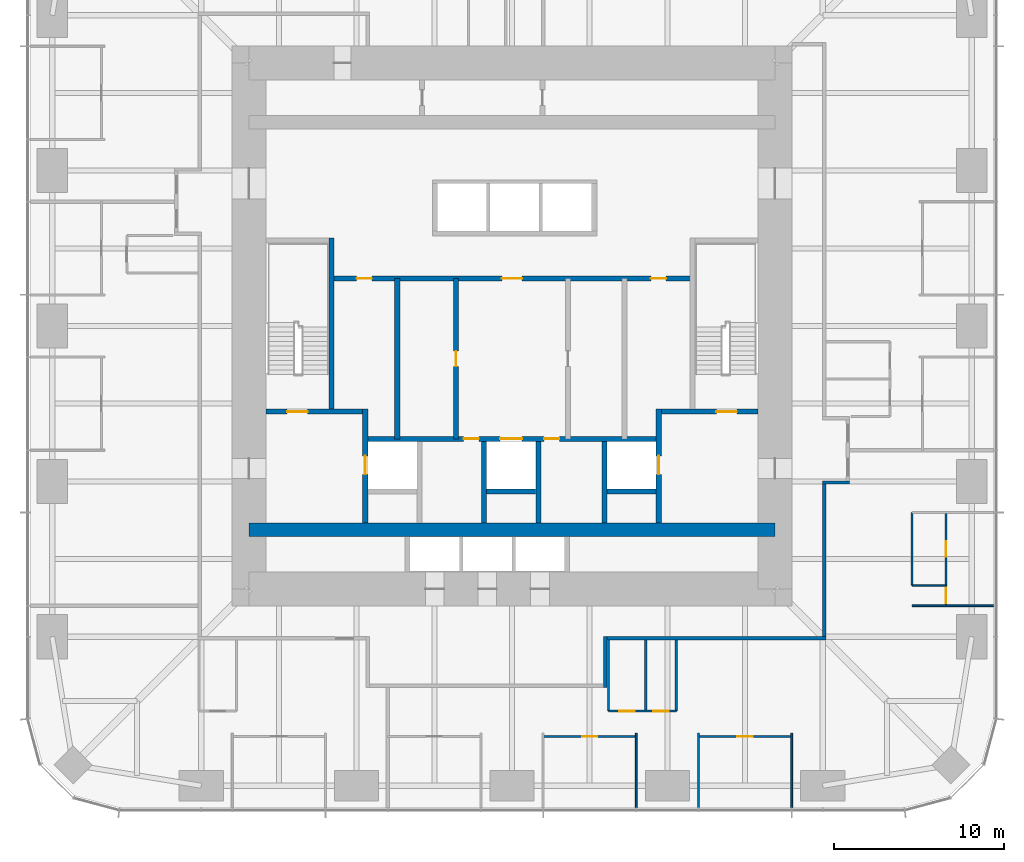
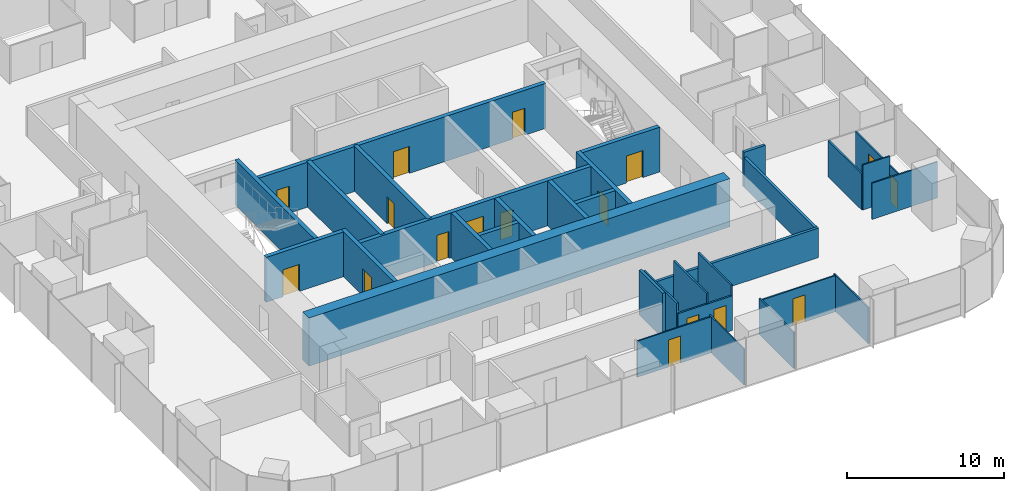
# One storey, part 9 of 12: 32 walls, 17 doors, 17 openings.
"""IFC4 building model written with IfcOpenShell, lengths in metres."""

from ifc_helpers import new_model, si_unit, direction, frame, frame_2d, origin, place, context, subcontext, project, spatial, rectangle, extrude, material, layer, layer_set, type_object, element, fill, save


model = new_model("IFC4")

# Units and contexts
model_context = context("Model", 3, precision=1e-05, world=origin(), true_north=direction((0.0, 1.0)))
body_context = subcontext(model_context, "Body", "Model", "MODEL_VIEW")
ifc_project = project(units=[si_unit("LENGTHUNIT", "METRE"), si_unit("AREAUNIT", "SQUARE_METRE"), si_unit("VOLUMEUNIT", "CUBIC_METRE"), si_unit("PLANEANGLEUNIT", "RADIAN"), si_unit("MASSUNIT", "GRAM", prefix="KILO")], contexts=[model_context])

# Site, building, storey
site_placement = place(None, origin())
site = spatial("IfcSite", under=ifc_project, at=site_placement, CompositionType="ELEMENT")
building_placement = place(site_placement, origin())
building = spatial("IfcBuilding", under=site, at=building_placement, Name="Khuree Lantern Residences", CompositionType="ELEMENT")
storey_placement = place(building_placement, frame((0.0, 0.0, 167.25)))
storey = spatial("IfcBuildingStorey", under=building, at=storey_placement, Name="L42", CompositionType="ELEMENT", Elevation=167.25)

# Wall
ifc_material_1 = material(Name="Moisture-resistant gypsum board on steel studs", Category="steel")
ifc_layer_1 = layer(ifc_material_1, 0.125)
ifc_layer_set_1 = layer_set([ifc_layer_1], Name="BATHROOM WALL BTW125")
wall_type_1 = type_object("IfcWallType", Name="BATHROOM WALL BTW125", PredefinedType="PARTITIONING", material=ifc_layer_set_1)
wall_1_placement = place(storey_placement, frame((23.579833984375, -15.2880859375, 0.0), z_axis=(0.0, 0.0, 1.0), x_axis=(0.0, 1.0, 0.0)))
element("IfcWall", 1, at=wall_1_placement, inside=storey, type_object=wall_type_1, Name="L42 BATHROOM WALL 05", PredefinedType="PARTITIONING", context=body_context, shape_type="SweptSolid", body=[
    extrude(rectangle(XDim=4.296142578125, YDim=0.125, at=frame_2d((2.14794921875, 0.0))), origin(), (0.0, 0.0, 1.0), 2.81005859375),
])

# Wall, openings, doors
wall_2_placement = place(storey_placement, frame((5.68359375, -22.699951171875, 0.0), z_axis=(0.0, 0.0, 1.0), x_axis=(1.0, 0.0, 0.0)))
wall_2 = element("IfcWall", 2, at=wall_2_placement, inside=storey, type_object=wall_type_1, Name="L42 BATHROOM WALL 05", PredefinedType="PARTITIONING", context=body_context, shape_type="SweptSolid", body=[
    extrude(rectangle(XDim=4.0, YDim=0.125, at=frame_2d((2.0, 0.0))), origin(), (0.0, 0.0, 1.0), 2.699951171875),
])
opening_1_placement = place(wall_2_placement, frame((0.64990234375, 0.0, 0.0)))
opening_1 = element("IfcOpeningElement", 3, at=opening_1_placement, cuts=wall_2, Name="Opening 42-047", PredefinedType="OPENING", context=body_context, shape_type="SweptSolid", body=[
    extrude(rectangle(XDim=0.89990234375, YDim=2.10009765625, at=frame_2d((0.449951171875, 1.050048828125))), frame((0.0, 0.072509765625, 0.0), z_axis=(0.0, -1.0, 0.0), x_axis=(1.0, 0.0, 0.0)), (0.0, 0.0, 1.0), 0.14501953125),
])
opening_2_placement = place(wall_2_placement, frame((2.64990234375, 0.0, 0.0)))
opening_2 = element("IfcOpeningElement", 4, at=opening_2_placement, cuts=wall_2, Name="Opening 42-048", PredefinedType="OPENING", context=body_context, shape_type="SweptSolid", body=[
    extrude(rectangle(XDim=0.89990234375, YDim=2.10009765625, at=frame_2d((0.449951171875, 1.050048828125))), frame((0.0, 0.072509765625, 0.0), z_axis=(0.0, -1.0, 0.0), x_axis=(1.0, 0.0, 0.0)), (0.0, 0.0, 1.0), 0.14501953125),
])
ifc_material_2 = material(Name="Timber door leaf in hardwood frame", Category="wood")
door_type_1 = type_object("IfcDoorType", Name="BATHROOM DOOR 900X2100", OperationType="SINGLE_SWING_LEFT", PredefinedType="DOOR", material=ifc_material_2)
door_1_placement = place(opening_1_placement, origin())
door_1 = element("IfcDoor", 5, at=door_1_placement, inside=storey, type_object=door_type_1, Name="Bathroom door 42-047", OperationType="SINGLE_SWING_LEFT", OverallHeight=2.10009765625, OverallWidth=0.89990234375, PredefinedType="DOOR", context=body_context, shape_type="SweptSolid", body=[
    extrude(rectangle(XDim=0.89990234375, YDim=2.10009765625, at=frame_2d((0.449951171875, 1.050048828125))), frame((0.0, 0.02490234375, 0.0), z_axis=(0.0, -1.0, 0.0), x_axis=(1.0, 0.0, 0.0)), (0.0, 0.0, 1.0), 0.050048828125),
])
fill(opening_1, door_1)
door_type_2 = type_object("IfcDoorType", Name="DOOR 900X2100", OperationType="SINGLE_SWING_LEFT", PredefinedType="DOOR", material=ifc_material_2)
door_2_placement = place(opening_2_placement, origin())
door_2 = element("IfcDoor", 6, at=door_2_placement, inside=storey, type_object=door_type_2, Name="Store door 42-048", OperationType="SINGLE_SWING_LEFT", OverallHeight=2.10009765625, OverallWidth=0.89990234375, PredefinedType="DOOR", context=body_context, shape_type="SweptSolid", body=[
    extrude(rectangle(XDim=0.89990234375, YDim=2.10009765625, at=frame_2d((0.449951171875, 1.050048828125))), frame((0.0, 0.02490234375, 0.0), z_axis=(0.0, -1.0, 0.0), x_axis=(1.0, 0.0, 0.0)), (0.0, 0.0, 1.0), 0.050048828125),
])
fill(opening_2, door_2)

# Walls
for number, where, z_axis, x_axis, name in (
    (7, (5.68359375, -18.5, 0.0), (0.0, 0.0, 1.0), (0.0, -1.0, 0.0), "L42 BATHROOM WALL 05"),
    (8, (7.883544921875, -18.5, 0.0), (0.0, 0.0, 1.0), (0.0, -1.0, 0.0), "L42 BATHROOM WALL 05"),
    (9, (9.68359375, -18.5, 0.0), (0.0, 0.0, 1.0), (0.0, -1.0, 0.0), "L42 BATHROOM WALL 05"),
):
    element("IfcWall", number, at=place(storey_placement, frame(where, z_axis=z_axis, x_axis=x_axis)), inside=storey, type_object=wall_type_1, Name=name, PredefinedType="PARTITIONING", context=body_context, shape_type="SweptSolid", body=[
        extrude(rectangle(XDim=4.199951171875, YDim=0.125, at=frame_2d((2.10009765625, 0.0))), origin(), (0.0, 0.0, 1.0), 3.5),
    ])

# Wall, opening, door
ifc_material_3 = material(Name="Dense concrete blockwork", Category="masonry")
ifc_layer_2 = layer(ifc_material_3, 0.300048828125)
ifc_layer_set_2 = layer_set([ifc_layer_2], Name="CORE PARTITION WALL CPW300 EI 120")
wall_type_2 = type_object("IfcWallType", Name="CORE PARTITION WALL CPW300 EI 120", PredefinedType="PARTITIONING", material=ifc_layer_set_2)
wall_3_placement = place(storey_placement, frame((-8.64990234375, -11.60009765625, 0.0), z_axis=(0.0, 0.0, 1.0), x_axis=(0.0, 1.0, 0.0)))
wall_3 = element("IfcWall", 10, at=wall_3_placement, inside=storey, type_object=wall_type_2, Name="L42 CORE WALL FL1W", PredefinedType="PARTITIONING", context=body_context, shape_type="SweptSolid", body=[
    extrude(rectangle(XDim=6.7001953125, YDim=0.300048828125, at=frame_2d((3.35009765625, 0.0))), origin(), (0.0, 0.0, 1.0), 3.5),
])
opening_3_placement = place(wall_3_placement, frame((2.85009765625, 0.0, 0.0)))
opening_3 = element("IfcOpeningElement", 11, at=opening_3_placement, cuts=wall_3, Name="Opening 42-007", PredefinedType="OPENING", context=body_context, shape_type="SweptSolid", body=[
    extrude(rectangle(XDim=1.10009765625, YDim=2.10009765625, at=frame_2d((0.550048828125, 1.050048828125))), frame((0.0, 0.16015625, 0.0), z_axis=(0.0, -1.0, 0.0), x_axis=(1.0, 0.0, 0.0)), (0.0, 0.0, 1.0), 0.320068359375),
])
ifc_material_4 = material(Name="Stainless steel lift landing door", Category="steel")
door_type_3 = type_object("IfcDoorType", Name="LIFT LANDING DOOR 1100X2100 E 120", OperationType="DOUBLE_DOOR_SLIDING", PredefinedType="DOOR", material=ifc_material_4)
door_3_placement = place(opening_3_placement, origin())
door_3 = element("IfcDoor", 12, at=door_3_placement, inside=storey, type_object=door_type_3, Name="Landing door FL1 42-007", OperationType="DOUBLE_DOOR_SLIDING", OverallHeight=2.10009765625, OverallWidth=1.10009765625, PredefinedType="DOOR", context=body_context, shape_type="SweptSolid", body=[
    extrude(rectangle(XDim=1.10009765625, YDim=2.10009765625, at=frame_2d((0.550048828125, 1.050048828125))), frame((0.0, 0.02490234375, 0.0), z_axis=(0.0, -1.0, 0.0), x_axis=(1.0, 0.0, 0.0)), (0.0, 0.0, 1.0), 0.050048828125),
])
fill(opening_3, door_3)

wall_4_placement = place(storey_placement, frame((8.64990234375, -11.60009765625, 0.0), z_axis=(0.0, 0.0, 1.0), x_axis=(0.0, 1.0, 0.0)))
wall_4 = element("IfcWall", 13, at=wall_4_placement, inside=storey, type_object=wall_type_2, Name="L42 CORE WALL FL2E", PredefinedType="PARTITIONING", context=body_context, shape_type="SweptSolid", body=[
    extrude(rectangle(XDim=6.7001953125, YDim=0.300048828125, at=frame_2d((3.35009765625, 0.0))), origin(), (0.0, 0.0, 1.0), 3.5),
])
opening_4_placement = place(wall_4_placement, frame((2.85009765625, 0.0, 0.0)))
opening_4 = element("IfcOpeningElement", 14, at=opening_4_placement, cuts=wall_4, Name="Opening 42-008", PredefinedType="OPENING", context=body_context, shape_type="SweptSolid", body=[
    extrude(rectangle(XDim=1.10009765625, YDim=2.10009765625, at=frame_2d((0.550048828125, 1.050048828125))), frame((0.0, 0.16015625, 0.0), z_axis=(0.0, -1.0, 0.0), x_axis=(1.0, 0.0, 0.0)), (0.0, 0.0, 1.0), 0.320068359375),
])
door_4_placement = place(opening_4_placement, origin())
door_4 = element("IfcDoor", 15, at=door_4_placement, inside=storey, type_object=door_type_3, Name="Landing door FL2 42-008", OperationType="DOUBLE_DOOR_SLIDING", OverallHeight=2.10009765625, OverallWidth=1.10009765625, PredefinedType="DOOR", context=body_context, shape_type="SweptSolid", body=[
    extrude(rectangle(XDim=1.10009765625, YDim=2.10009765625, at=frame_2d((0.550048828125, 1.050048828125))), frame((0.0, 0.02490234375, 0.0), z_axis=(0.0, -1.0, 0.0), x_axis=(1.0, 0.0, 0.0)), (0.0, 0.0, 1.0), 0.050048828125),
])
fill(opening_4, door_4)

# Wall, openings, doors
wall_5_placement = place(storey_placement, frame((-8.5, -6.64990234375, 0.0), z_axis=(0.0, 0.0, 1.0), x_axis=(1.0, 0.0, 0.0)))
wall_5 = element("IfcWall", 16, at=wall_5_placement, inside=storey, type_object=wall_type_2, Name="L42 CORE WALL FLROW", PredefinedType="PARTITIONING", context=body_context, shape_type="SweptSolid", body=[
    extrude(rectangle(XDim=17.0, YDim=0.300048828125, at=frame_2d((8.5, 0.0))), origin(), (0.0, 0.0, 1.0), 3.5),
])
opening_5_placement = place(wall_5_placement, frame((7.800048828125, 0.0, 0.0)))
opening_5 = element("IfcOpeningElement", 17, at=opening_5_placement, cuts=wall_5, Name="Opening 42-012", PredefinedType="OPENING", context=body_context, shape_type="SweptSolid", body=[
    extrude(rectangle(XDim=1.300048828125, YDim=2.39990234375, at=frame_2d((0.64990234375, 1.199951171875))), frame((0.0, 0.16015625, 0.0), z_axis=(0.0, -1.0, 0.0), x_axis=(1.0, 0.0, 0.0)), (0.0, 0.0, 1.0), 0.320068359375),
])
opening_6_placement = place(wall_5_placement, frame((5.64990234375, 0.0, 0.0)))
opening_6 = element("IfcOpeningElement", 18, at=opening_6_placement, cuts=wall_5, Name="Opening 42-014", PredefinedType="OPENING", context=body_context, shape_type="SweptSolid", body=[
    extrude(rectangle(XDim=0.89990234375, YDim=2.10009765625, at=frame_2d((0.449951171875, 1.050048828125))), frame((0.0, 0.16015625, 0.0), z_axis=(0.0, -1.0, 0.0), x_axis=(1.0, 0.0, 0.0)), (0.0, 0.0, 1.0), 0.320068359375),
])
opening_7_placement = place(wall_5_placement, frame((10.39990234375, 0.0, 0.0)))
opening_7 = element("IfcOpeningElement", 19, at=opening_7_placement, cuts=wall_5, Name="Opening 42-015", PredefinedType="OPENING", context=body_context, shape_type="SweptSolid", body=[
    extrude(rectangle(XDim=0.89990234375, YDim=2.10009765625, at=frame_2d((0.449951171875, 1.050048828125))), frame((0.0, 0.16015625, 0.0), z_axis=(0.0, -1.0, 0.0), x_axis=(1.0, 0.0, 0.0)), (0.0, 0.0, 1.0), 0.320068359375),
])
ifc_material_5 = material(Name="Steel door leaf in steel frame", Category="steel")
door_type_4 = type_object("IfcDoorType", Name="DOOR 900X2100 EI 60", OperationType="SINGLE_SWING_LEFT", PredefinedType="DOOR", material=ifc_material_5)
door_5_placement = place(opening_6_placement, origin())
door_5 = element("IfcDoor", 20, at=door_5_placement, inside=storey, type_object=door_type_4, Name="Refuse chute room door 42-014", OperationType="SINGLE_SWING_LEFT", OverallHeight=2.10009765625, OverallWidth=0.89990234375, PredefinedType="DOOR", context=body_context, shape_type="SweptSolid", body=[
    extrude(rectangle(XDim=0.89990234375, YDim=2.10009765625, at=frame_2d((0.449951171875, 1.050048828125))), frame((0.0, 0.02490234375, 0.0), z_axis=(0.0, -1.0, 0.0), x_axis=(1.0, 0.0, 0.0)), (0.0, 0.0, 1.0), 0.050048828125),
])
fill(opening_6, door_5)
door_type_5 = type_object("IfcDoorType", Name="DOOR 900X2100 EI 60 RIGHT HAND", OperationType="SINGLE_SWING_RIGHT", PredefinedType="DOOR", material=ifc_material_5)
door_6_placement = place(opening_7_placement, origin())
door_6 = element("IfcDoor", 21, at=door_6_placement, inside=storey, type_object=door_type_5, Name="Electrical and plumbing riser door 42-015", OperationType="SINGLE_SWING_RIGHT", OverallHeight=2.10009765625, OverallWidth=0.89990234375, PredefinedType="DOOR", context=body_context, shape_type="SweptSolid", body=[
    extrude(rectangle(XDim=0.89990234375, YDim=2.10009765625, at=frame_2d((0.449951171875, 1.050048828125))), frame((0.0, 0.02490234375, 0.0), z_axis=(0.0, -1.0, 0.0), x_axis=(1.0, 0.0, 0.0)), (0.0, 0.0, 1.0), 0.050048828125),
])
fill(opening_7, door_6)
door_type_6 = type_object("IfcDoorType", Name="LIFT LANDING DOOR 1300X2400 E 60", OperationType="DOUBLE_DOOR_SLIDING", PredefinedType="DOOR", material=ifc_material_4)
door_7_placement = place(opening_5_placement, origin())
door_7 = element("IfcDoor", 22, at=door_7_placement, inside=storey, type_object=door_type_6, Name="Landing door SL1 42-012", OperationType="DOUBLE_DOOR_SLIDING", OverallHeight=2.39990234375, OverallWidth=1.300048828125, PredefinedType="DOOR", context=body_context, shape_type="SweptSolid", body=[
    extrude(rectangle(XDim=1.300048828125, YDim=2.39990234375, at=frame_2d((0.64990234375, 1.199951171875))), frame((0.0, 0.02490234375, 0.0), z_axis=(0.0, -1.0, 0.0), x_axis=(1.0, 0.0, 0.0)), (0.0, 0.0, 1.0), 0.050048828125),
])
fill(opening_5, door_7)

# Walls
for number, where, z_axis, x_axis, name in (
    (23, (-1.64990234375, -11.60009765625, 0.0), (0.0, 0.0, 1.0), (0.0, 1.0, 0.0), "L42 CORE WALL SL1W"),
    (24, (1.550048828125, -11.60009765625, 0.0), (0.0, 0.0, 1.0), (0.0, 1.0, 0.0), "L42 CORE WALL SL1E"),
    (25, (5.449951171875, -11.60009765625, 0.0), (0.0, 0.0, 1.0), (0.0, 1.0, 0.0), "L42 CORE WALL FL2W"),
):
    element("IfcWall", number, at=place(storey_placement, frame(where, z_axis=z_axis, x_axis=x_axis)), inside=storey, type_object=wall_type_2, Name=name, PredefinedType="PARTITIONING", context=body_context, shape_type="SweptSolid", body=[
        extrude(rectangle(XDim=4.800048828125, YDim=0.300048828125, at=frame_2d((2.39990234375, 0.0))), origin(), (0.0, 0.0, 1.0), 3.5),
    ])
for number, where, z_axis, x_axis, name in (
    (26, (-1.5, -9.75, 0.0), (0.0, 0.0, 1.0), (1.0, 0.0, 0.0), "L42 CORE WALL SL1S"),
    (27, (5.60009765625, -9.75, 0.0), (0.0, 0.0, 1.0), (1.0, 0.0, 0.0), "L42 CORE WALL FL2S"),
):
    element("IfcWall", number, at=place(storey_placement, frame(where, z_axis=z_axis, x_axis=x_axis)), inside=storey, type_object=wall_type_2, Name=name, PredefinedType="PARTITIONING", context=body_context, shape_type="SweptSolid", body=[
        extrude(rectangle(XDim=2.89990234375, YDim=0.300048828125, at=frame_2d((1.449951171875, 0.0))), origin(), (0.0, 0.0, 1.0), 3.5),
    ])

# Wall, openings, doors
wall_6_placement = place(storey_placement, frame((-10.64990234375, 2.800048828125, 0.0), z_axis=(0.0, 0.0, 1.0), x_axis=(1.0, 0.0, 0.0)))
wall_6 = element("IfcWall", 28, at=wall_6_placement, inside=storey, type_object=wall_type_2, Name="L42 CORE WALL LLS", PredefinedType="PARTITIONING", context=body_context, shape_type="SweptSolid", body=[
    extrude(rectangle(XDim=21.2998046875, YDim=0.300048828125, at=frame_2d((10.64990234375, 0.0))), origin(), (0.0, 0.0, 1.0), 3.5),
])
opening_8_placement = place(wall_6_placement, frame((10.050048828125, 0.0, 0.0)))
opening_8 = element("IfcOpeningElement", 29, at=opening_8_placement, cuts=wall_6, Name="Opening 42-013", PredefinedType="OPENING", context=body_context, shape_type="SweptSolid", body=[
    extrude(rectangle(XDim=1.199951171875, YDim=2.10009765625, at=frame_2d((0.60009765625, 1.050048828125))), frame((0.0, 0.16015625, 0.0), z_axis=(0.0, -1.0, 0.0), x_axis=(1.0, 0.0, 0.0)), (0.0, 0.0, 1.0), 0.320068359375),
])
opening_9_placement = place(wall_6_placement, frame((1.492919921875, 0.0, 0.0)))
opening_9 = element("IfcOpeningElement", 30, at=opening_9_placement, cuts=wall_6, Name="Opening 42-017", PredefinedType="OPENING", context=body_context, shape_type="SweptSolid", body=[
    extrude(rectangle(XDim=0.89990234375, YDim=2.10009765625, at=frame_2d((0.449951171875, 1.050048828125))), frame((0.0, 0.16015625, 0.0), z_axis=(0.0, -1.0, 0.0), x_axis=(1.0, 0.0, 0.0)), (0.0, 0.0, 1.0), 0.320068359375),
])
opening_10_placement = place(wall_6_placement, frame((18.8359375, 0.0, 0.0)))
opening_10 = element("IfcOpeningElement", 31, at=opening_10_placement, cuts=wall_6, Name="Opening 42-019", PredefinedType="OPENING", context=body_context, shape_type="SweptSolid", body=[
    extrude(rectangle(XDim=0.89990234375, YDim=2.10009765625, at=frame_2d((0.449951171875, 1.050048828125))), frame((0.0, 0.16015625, 0.0), z_axis=(0.0, -1.0, 0.0), x_axis=(1.0, 0.0, 0.0)), (0.0, 0.0, 1.0), 0.320068359375),
])
door_type_7 = type_object("IfcDoorType", Name="DOOR 1200X2100 EI 60", OperationType="SINGLE_SWING_LEFT", PredefinedType="DOOR", material=ifc_material_5)
door_8_placement = place(opening_8_placement, origin())
door_8 = element("IfcDoor", 32, at=door_8_placement, inside=storey, type_object=door_type_7, Name="Service lift lobby door 42-013", OperationType="SINGLE_SWING_LEFT", OverallHeight=2.10009765625, OverallWidth=1.199951171875, PredefinedType="DOOR", context=body_context, shape_type="SweptSolid", body=[
    extrude(rectangle(XDim=1.199951171875, YDim=2.10009765625, at=frame_2d((0.60009765625, 1.050048828125))), frame((0.0, 0.02490234375, 0.0), z_axis=(0.0, -1.0, 0.0), x_axis=(1.0, 0.0, 0.0)), (0.0, 0.0, 1.0), 0.050048828125),
])
fill(opening_8, door_8)
door_9_placement = place(opening_9_placement, origin())
door_9 = element("IfcDoor", 33, at=door_9_placement, inside=storey, type_object=door_type_2, Name="Residents' store door 42-017", OperationType="SINGLE_SWING_LEFT", OverallHeight=2.10009765625, OverallWidth=0.89990234375, PredefinedType="DOOR", context=body_context, shape_type="SweptSolid", body=[
    extrude(rectangle(XDim=0.89990234375, YDim=2.10009765625, at=frame_2d((0.449951171875, 1.050048828125))), frame((0.0, 0.02490234375, 0.0), z_axis=(0.0, -1.0, 0.0), x_axis=(1.0, 0.0, 0.0)), (0.0, 0.0, 1.0), 0.050048828125),
])
fill(opening_9, door_9)
door_type_8 = type_object("IfcDoorType", Name="DOOR 900X2100 RIGHT HAND", OperationType="SINGLE_SWING_RIGHT", PredefinedType="DOOR", material=ifc_material_2)
door_10_placement = place(opening_10_placement, origin())
door_10 = element("IfcDoor", 34, at=door_10_placement, inside=storey, type_object=door_type_8, Name="Residents' store door 42-019", OperationType="SINGLE_SWING_RIGHT", OverallHeight=2.10009765625, OverallWidth=0.89990234375, PredefinedType="DOOR", context=body_context, shape_type="SweptSolid", body=[
    extrude(rectangle(XDim=0.89990234375, YDim=2.10009765625, at=frame_2d((0.449951171875, 1.050048828125))), frame((0.0, 0.02490234375, 0.0), z_axis=(0.0, -1.0, 0.0), x_axis=(1.0, 0.0, 0.0)), (0.0, 0.0, 1.0), 0.050048828125),
])
fill(opening_10, door_10)

# Wall, opening, door
wall_7_placement = place(storey_placement, frame((-3.300048828125, -6.64990234375, 0.0), z_axis=(0.0, 0.0, 1.0), x_axis=(0.0, 1.0, 0.0)))
wall_7 = element("IfcWall", 35, at=wall_7_placement, inside=storey, type_object=wall_type_2, Name="L42 CORE WALL SVW", PredefinedType="PARTITIONING", context=body_context, shape_type="SweptSolid", body=[
    extrude(rectangle(XDim=9.449951171875, YDim=0.300048828125, at=frame_2d((4.72509765625, 0.0))), origin(), (0.0, 0.0, 1.0), 3.5),
])
opening_11_placement = place(wall_7_placement, frame((4.27490234375, 0.0, 0.0)))
opening_11 = element("IfcOpeningElement", 36, at=opening_11_placement, cuts=wall_7, Name="Opening 42-016", PredefinedType="OPENING", context=body_context, shape_type="SweptSolid", body=[
    extrude(rectangle(XDim=0.89990234375, YDim=2.10009765625, at=frame_2d((0.449951171875, 1.050048828125))), frame((0.0, 0.16015625, 0.0), z_axis=(0.0, -1.0, 0.0), x_axis=(1.0, 0.0, 0.0)), (0.0, 0.0, 1.0), 0.320068359375),
])
door_11_placement = place(opening_11_placement, origin())
door_11 = element("IfcDoor", 37, at=door_11_placement, inside=storey, type_object=door_type_2, Name="Residents' store door 42-016", OperationType="SINGLE_SWING_LEFT", OverallHeight=2.10009765625, OverallWidth=0.89990234375, PredefinedType="DOOR", context=body_context, shape_type="SweptSolid", body=[
    extrude(rectangle(XDim=0.89990234375, YDim=2.10009765625, at=frame_2d((0.449951171875, 1.050048828125))), frame((0.0, 0.02490234375, 0.0), z_axis=(0.0, -1.0, 0.0), x_axis=(1.0, 0.0, 0.0)), (0.0, 0.0, 1.0), 0.050048828125),
])
fill(opening_11, door_11)

# Walls
wall_8_placement = place(storey_placement, frame((-6.763916015625, -6.64990234375, 0.0), z_axis=(0.0, 0.0, 1.0), x_axis=(0.0, 1.0, 0.0)))
element("IfcWall", 38, at=wall_8_placement, inside=storey, type_object=wall_type_2, Name="L42 CORE WALL WV", PredefinedType="PARTITIONING", context=body_context, shape_type="SweptSolid", body=[
    extrude(rectangle(XDim=9.449951171875, YDim=0.300048828125, at=frame_2d((4.72509765625, 0.0))), origin(), (0.0, 0.0, 1.0), 3.5),
])
ifc_material_6 = material(Name="Gypsum board on steel studs", Category="steel")
ifc_layer_3 = layer(ifc_material_6, 0.199951171875)
ifc_layer_set_3 = layer_set([ifc_layer_3], Name="CORRIDOR WALL CRW200 EI 60")
wall_type_3 = type_object("IfcWallType", Name="CORRIDOR WALL CRW200 EI 60", PredefinedType="PARTITIONING", material=ifc_layer_set_3)
wall_9_placement = place(storey_placement, frame((18.39990234375, -18.300048828125, 0.0), z_axis=(0.0, 0.0, 1.0), x_axis=(0.0, 1.0, 0.0)))
element("IfcWall", 39, at=wall_9_placement, inside=storey, type_object=wall_type_3, Name="L42 CORRIDOR WALL EAST 1", PredefinedType="PARTITIONING", context=body_context, shape_type="SweptSolid", body=[
    extrude(rectangle(XDim=8.97216796875, YDim=0.199951171875, at=frame_2d((4.486083984375, 0.0))), origin(), (0.0, 0.0, 1.0), 2.300048828125),
])
wall_10_placement = place(storey_placement, frame((18.300048828125, -9.22802734375, 0.0), z_axis=(0.0, 0.0, 1.0), x_axis=(1.0, 0.0, 0.0)))
element("IfcWall", 40, at=wall_10_placement, inside=storey, type_object=wall_type_3, Name="L42 CORRIDOR ALCOVE WALL EAST", PredefinedType="PARTITIONING", context=body_context, shape_type="SweptSolid", body=[
    extrude(rectangle(XDim=1.599853515625, YDim=0.199951171875, at=frame_2d((0.7998046875, 0.0))), origin(), (0.0, 0.0, 1.0), 2.699951171875),
])
wall_11_placement = place(storey_placement, frame((18.5, -18.39990234375, 0.0), z_axis=(0.0, 0.0, 1.0), x_axis=(-1.0, 0.0, 0.0)))
element("IfcWall", 41, at=wall_11_placement, inside=storey, type_object=wall_type_3, Name="L42 CORRIDOR WALL SOUTH 1", PredefinedType="PARTITIONING", context=body_context, shape_type="SweptSolid", body=[
    extrude(rectangle(XDim=12.89990234375, YDim=0.199951171875, at=frame_2d((6.449951171875, 0.0))), origin(), (0.0, 0.0, 1.0), 2.300048828125),
])
wall_12_placement = place(storey_placement, frame((5.5, -18.300048828125, 0.0), z_axis=(0.0, 0.0, 1.0), x_axis=(0.0, -1.0, 0.0)))
element("IfcWall", 42, at=wall_12_placement, inside=storey, type_object=wall_type_3, Name="L42 LIFT LOBBY WALL", PredefinedType="PARTITIONING", context=body_context, shape_type="SweptSolid", body=[
    extrude(rectangle(XDim=3.0, YDim=0.199951171875, at=frame_2d((1.5, 0.0))), origin(), (0.0, 0.0, 1.0), 3.5),
])
ifc_layer_4 = layer(ifc_material_6, 0.10009765625)
ifc_layer_set_4 = layer_set([ifc_layer_4], Name="PARTITION PT100")
wall_type_4 = type_object("IfcWallType", Name="PARTITION PT100", PredefinedType="PARTITIONING", material=ifc_layer_set_4)
for number, where, z_axis, x_axis, name in (
    (43, (7.327880859375, -24.0, 0.0), (0.0, 0.0, 1.0), (0.0, -1.0, 0.0), "L42 PARTITION 05"),
    (44, (10.991943359375, -24.0, 0.0), (0.0, 0.0, 1.0), (0.0, -1.0, 0.0), "L42 PARTITION 05"),
    (45, (16.488037109375, -24.0, 0.0), (0.0, 0.0, 1.0), (0.0, -1.0, 0.0), "L42 PARTITION 05"),
):
    element("IfcWall", number, at=place(storey_placement, frame(where, z_axis=z_axis, x_axis=x_axis)), inside=storey, type_object=wall_type_4, Name=name, PredefinedType="PARTITIONING", context=body_context, shape_type="SweptSolid", body=[
        extrude(rectangle(XDim=4.39990234375, YDim=0.10009765625, at=frame_2d((2.199951171875, 0.0))), origin(), (0.0, 0.0, 1.0), 2.81005859375),
    ])
wall_13_placement = place(storey_placement, frame((23.579833984375, -16.488037109375, 0.0), z_axis=(0.0, 0.0, 1.0), x_axis=(1.0, 0.0, 0.0)))
element("IfcWall", 46, at=wall_13_placement, inside=storey, type_object=wall_type_4, Name="L42 PARTITION 05", PredefinedType="PARTITIONING", context=body_context, shape_type="SweptSolid", body=[
    extrude(rectangle(XDim=4.820068359375, YDim=0.10009765625, at=frame_2d((2.41015625, 0.0))), origin(), (0.0, 0.0, 1.0), 2.81005859375),
])

# Wall, opening, door
wall_14_placement = place(storey_placement, frame((1.83203125, -24.199951171875, 0.0), z_axis=(0.0, 0.0, 1.0), x_axis=(1.0, 0.0, 0.0)))
wall_14 = element("IfcWall", 47, at=wall_14_placement, inside=storey, type_object=wall_type_4, Name="L42 PARTITION 05", PredefinedType="PARTITIONING", context=body_context, shape_type="SweptSolid", body=[
    extrude(rectangle(XDim=5.495849609375, YDim=0.10009765625, at=frame_2d((2.748046875, 0.0))), origin(), (0.0, 0.0, 1.0), 2.81005859375),
])
opening_12_placement = place(wall_14_placement, frame((2.298095703125, 0.0, 0.0)))
opening_12 = element("IfcOpeningElement", 48, at=opening_12_placement, cuts=wall_14, Name="Opening 42-043", PredefinedType="OPENING", context=body_context, shape_type="SweptSolid", body=[
    extrude(rectangle(XDim=0.89990234375, YDim=2.10009765625, at=frame_2d((0.449951171875, 1.050048828125))), frame((0.0, 0.06005859375, 0.0), z_axis=(0.0, -1.0, 0.0), x_axis=(1.0, 0.0, 0.0)), (0.0, 0.0, 1.0), 0.1201171875),
])
door_type_9 = type_object("IfcDoorType", Name="BEDROOM DOOR 900X2100", OperationType="SINGLE_SWING_LEFT", PredefinedType="DOOR", material=ifc_material_2)
door_12_placement = place(opening_12_placement, origin())
door_12 = element("IfcDoor", 49, at=door_12_placement, inside=storey, type_object=door_type_9, Name="Bedroom door 42-043", OperationType="SINGLE_SWING_LEFT", OverallHeight=2.10009765625, OverallWidth=0.89990234375, PredefinedType="DOOR", context=body_context, shape_type="SweptSolid", body=[
    extrude(rectangle(XDim=0.89990234375, YDim=2.10009765625, at=frame_2d((0.449951171875, 1.050048828125))), frame((0.0, 0.02490234375, 0.0), z_axis=(0.0, -1.0, 0.0), x_axis=(1.0, 0.0, 0.0)), (0.0, 0.0, 1.0), 0.050048828125),
])
fill(opening_12, door_12)

wall_15_placement = place(storey_placement, frame((10.991943359375, -24.199951171875, 0.0), z_axis=(0.0, 0.0, 1.0), x_axis=(1.0, 0.0, 0.0)))
wall_15 = element("IfcWall", 50, at=wall_15_placement, inside=storey, type_object=wall_type_4, Name="L42 PARTITION 05", PredefinedType="PARTITIONING", context=body_context, shape_type="SweptSolid", body=[
    extrude(rectangle(XDim=5.49609375, YDim=0.10009765625, at=frame_2d((2.748046875, 0.0))), origin(), (0.0, 0.0, 1.0), 2.81005859375),
])
opening_13_placement = place(wall_15_placement, frame((2.298095703125, 0.0, 0.0)))
opening_13 = element("IfcOpeningElement", 51, at=opening_13_placement, cuts=wall_15, Name="Opening 42-044", PredefinedType="OPENING", context=body_context, shape_type="SweptSolid", body=[
    extrude(rectangle(XDim=0.89990234375, YDim=2.10009765625, at=frame_2d((0.449951171875, 1.050048828125))), frame((0.0, 0.06005859375, 0.0), z_axis=(0.0, -1.0, 0.0), x_axis=(1.0, 0.0, 0.0)), (0.0, 0.0, 1.0), 0.1201171875),
])
door_13_placement = place(opening_13_placement, origin())
door_13 = element("IfcDoor", 52, at=door_13_placement, inside=storey, type_object=door_type_9, Name="Bedroom door 42-044", OperationType="SINGLE_SWING_LEFT", OverallHeight=2.10009765625, OverallWidth=0.89990234375, PredefinedType="DOOR", context=body_context, shape_type="SweptSolid", body=[
    extrude(rectangle(XDim=0.89990234375, YDim=2.10009765625, at=frame_2d((0.449951171875, 1.050048828125))), frame((0.0, 0.02490234375, 0.0), z_axis=(0.0, -1.0, 0.0), x_axis=(1.0, 0.0, 0.0)), (0.0, 0.0, 1.0), 0.050048828125),
])
fill(opening_13, door_13)

# Wall, openings, doors
wall_16_placement = place(storey_placement, frame((25.579833984375, -16.488037109375, 0.0), z_axis=(0.0, 0.0, 1.0), x_axis=(0.0, 1.0, 0.0)))
wall_16 = element("IfcWall", 53, at=wall_16_placement, inside=storey, type_object=wall_type_4, Name="L42 PARTITION 05", PredefinedType="PARTITIONING", context=body_context, shape_type="SweptSolid", body=[
    extrude(rectangle(XDim=5.49609375, YDim=0.10009765625, at=frame_2d((2.748046875, 0.0))), origin(), (0.0, 0.0, 1.0), 2.81005859375),
])
opening_14_placement = place(wall_16_placement, frame((0.14990234375, 0.0, 0.0)))
opening_14 = element("IfcOpeningElement", 54, at=opening_14_placement, cuts=wall_16, Name="Opening 42-045", PredefinedType="OPENING", context=body_context, shape_type="SweptSolid", body=[
    extrude(rectangle(XDim=0.89990234375, YDim=2.10009765625, at=frame_2d((0.449951171875, 1.050048828125))), frame((0.0, 0.06005859375, 0.0), z_axis=(0.0, -1.0, 0.0), x_axis=(1.0, 0.0, 0.0)), (0.0, 0.0, 1.0), 0.1201171875),
])
opening_15_placement = place(wall_16_placement, frame((2.89794921875, 0.0, 0.0)))
opening_15 = element("IfcOpeningElement", 55, at=opening_15_placement, cuts=wall_16, Name="Opening 42-046", PredefinedType="OPENING", context=body_context, shape_type="SweptSolid", body=[
    extrude(rectangle(XDim=0.89990234375, YDim=2.10009765625, at=frame_2d((0.449951171875, 1.050048828125))), frame((0.0, 0.06005859375, 0.0), z_axis=(0.0, -1.0, 0.0), x_axis=(1.0, 0.0, 0.0)), (0.0, 0.0, 1.0), 0.1201171875),
])
door_14_placement = place(opening_15_placement, origin())
door_14 = element("IfcDoor", 56, at=door_14_placement, inside=storey, type_object=door_type_1, Name="Bathroom door 42-046", OperationType="SINGLE_SWING_LEFT", OverallHeight=2.10009765625, OverallWidth=0.89990234375, PredefinedType="DOOR", context=body_context, shape_type="SweptSolid", body=[
    extrude(rectangle(XDim=0.89990234375, YDim=2.10009765625, at=frame_2d((0.449951171875, 1.050048828125))), frame((0.0, 0.02490234375, 0.0), z_axis=(0.0, -1.0, 0.0), x_axis=(1.0, 0.0, 0.0)), (0.0, 0.0, 1.0), 0.050048828125),
])
fill(opening_15, door_14)
door_15_placement = place(opening_14_placement, origin())
door_15 = element("IfcDoor", 57, at=door_15_placement, inside=storey, type_object=door_type_9, Name="Bedroom door 42-045", OperationType="SINGLE_SWING_LEFT", OverallHeight=2.10009765625, OverallWidth=0.89990234375, PredefinedType="DOOR", context=body_context, shape_type="SweptSolid", body=[
    extrude(rectangle(XDim=0.89990234375, YDim=2.10009765625, at=frame_2d((0.449951171875, 1.050048828125))), frame((0.0, 0.02490234375, 0.0), z_axis=(0.0, -1.0, 0.0), x_axis=(1.0, 0.0, 0.0)), (0.0, 0.0, 1.0), 0.050048828125),
])
fill(opening_14, door_15)

# Walls
wall_17_placement = place(storey_placement, frame((23.579833984375, -15.2880859375, 0.0), z_axis=(0.0, 0.0, 1.0), x_axis=(1.0, 0.0, 0.0)))
element("IfcWall", 58, at=wall_17_placement, inside=storey, type_object=wall_type_4, Name="L42 PARTITION 05", PredefinedType="PARTITIONING", context=body_context, shape_type="SweptSolid", body=[
    extrude(rectangle(XDim=2.0, YDim=0.10009765625, at=frame_2d((1.0, 0.0))), origin(), (0.0, 0.0, 1.0), 3.5),
])
ifc_material_7 = material(Name="Concrete C70/85", Category="concrete")
ifc_layer_5 = layer(ifc_material_7, 0.800048828125)
ifc_layer_set_5 = layer_set([ifc_layer_5], Name="SP800-C70 CORE SPINE WALL C70 800")
wall_type_5 = type_object("IfcWallType", Name="SP800-C70 CORE SPINE WALL C70 800", PredefinedType="SHEAR", material=ifc_layer_set_5)
wall_18_placement = place(storey_placement, frame((-15.5, -12.0, -0.25), z_axis=(0.0, 0.0, 1.0), x_axis=(1.0, 0.0, 0.0)))
element("IfcWall", 59, at=wall_18_placement, inside=storey, type_object=wall_type_5, Name="Core wall SPS", PredefinedType="SHEAR", context=body_context, shape_type="SweptSolid", body=[
    extrude(rectangle(XDim=31.0, YDim=0.800048828125, at=frame_2d((15.5, 0.0))), origin(), (0.0, 0.0, 1.0), 3.75),
])
ifc_material_8 = material(Name="Concrete C50/60", Category="concrete")
ifc_layer_6 = layer(ifc_material_8, 0.300048828125)
ifc_layer_set_6 = layer_set([ifc_layer_6], Name="STAIR WALL SRW300 C50/60 REI 240")
wall_type_6 = type_object("IfcWallType", Name="STAIR WALL SRW300 C50/60 REI 240", PredefinedType="SOLIDWALL", material=ifc_layer_set_6)
wall_19_placement = place(storey_placement, frame((-10.64990234375, -4.89990234375, 0.0), z_axis=(0.0, 0.0, 1.0), x_axis=(0.0, 1.0, 0.0)))
element("IfcWall", 60, at=wall_19_placement, inside=storey, type_object=wall_type_6, Name="L42 STAIR WALL ST1E", PredefinedType="SOLIDWALL", context=body_context, shape_type="SweptSolid", body=[
    extrude(rectangle(XDim=10.099853515625, YDim=0.300048828125, at=frame_2d((5.0498046875, 0.0))), origin(), (0.0, 0.0, 1.0), 3.5),
])

# Wall, opening, door
wall_20_placement = place(storey_placement, frame((-14.5, -5.050048828125, 0.0), z_axis=(0.0, 0.0, 1.0), x_axis=(1.0, 0.0, 0.0)))
wall_20 = element("IfcWall", 61, at=wall_20_placement, inside=storey, type_object=wall_type_6, Name="L42 STAIR WALL ST1S", PredefinedType="SOLIDWALL", context=body_context, shape_type="SweptSolid", body=[
    extrude(rectangle(XDim=5.699951171875, YDim=0.300048828125, at=frame_2d((2.85009765625, 0.0))), origin(), (0.0, 0.0, 1.0), 3.5),
])
opening_16_placement = place(wall_20_placement, frame((1.25, 0.0, 0.0)))
opening_16 = element("IfcOpeningElement", 62, at=opening_16_placement, cuts=wall_20, Name="Opening 42-001", PredefinedType="OPENING", context=body_context, shape_type="SweptSolid", body=[
    extrude(rectangle(XDim=1.199951171875, YDim=2.10009765625, at=frame_2d((0.60009765625, 1.050048828125))), frame((0.0, 0.16015625, 0.0), z_axis=(0.0, -1.0, 0.0), x_axis=(1.0, 0.0, 0.0)), (0.0, 0.0, 1.0), 0.320068359375),
])
door_type_10 = type_object("IfcDoorType", Name="STAIR DOOR 1200X2100 EI 120", OperationType="SINGLE_SWING_LEFT", PredefinedType="DOOR", material=ifc_material_5)
door_16_placement = place(opening_16_placement, origin())
door_16 = element("IfcDoor", 63, at=door_16_placement, inside=storey, type_object=door_type_10, Name="Stair ST1 door 42-001", OperationType="SINGLE_SWING_LEFT", OverallHeight=2.10009765625, OverallWidth=1.199951171875, PredefinedType="DOOR", context=body_context, shape_type="SweptSolid", body=[
    extrude(rectangle(XDim=1.199951171875, YDim=2.10009765625, at=frame_2d((0.60009765625, 1.050048828125))), frame((0.0, 0.02490234375, 0.0), z_axis=(0.0, -1.0, 0.0), x_axis=(1.0, 0.0, 0.0)), (0.0, 0.0, 1.0), 0.050048828125),
])
fill(opening_16, door_16)

wall_21_placement = place(storey_placement, frame((14.5, -5.050048828125, 0.0), z_axis=(0.0, 0.0, 1.0), x_axis=(-1.0, 0.0, 0.0)))
wall_21 = element("IfcWall", 64, at=wall_21_placement, inside=storey, type_object=wall_type_6, Name="L42 STAIR WALL ST2S", PredefinedType="SOLIDWALL", context=body_context, shape_type="SweptSolid", body=[
    extrude(rectangle(XDim=5.699951171875, YDim=0.300048828125, at=frame_2d((2.85009765625, 0.0))), origin(), (0.0, 0.0, 1.0), 3.5),
])
opening_17_placement = place(wall_21_placement, frame((1.25, 0.0, 0.0)))
opening_17 = element("IfcOpeningElement", 65, at=opening_17_placement, cuts=wall_21, Name="Opening 42-004", PredefinedType="OPENING", context=body_context, shape_type="SweptSolid", body=[
    extrude(rectangle(XDim=1.199951171875, YDim=2.10009765625, at=frame_2d((0.60009765625, 1.050048828125))), frame((0.0, 0.16015625, 0.0), z_axis=(0.0, -1.0, 0.0), x_axis=(1.0, 0.0, 0.0)), (0.0, 0.0, 1.0), 0.320068359375),
])
door_17_placement = place(opening_17_placement, origin())
door_17 = element("IfcDoor", 66, at=door_17_placement, inside=storey, type_object=door_type_10, Name="Stair ST2 door 42-004", OperationType="SINGLE_SWING_LEFT", OverallHeight=2.10009765625, OverallWidth=1.199951171875, PredefinedType="DOOR", context=body_context, shape_type="SweptSolid", body=[
    extrude(rectangle(XDim=1.199951171875, YDim=2.10009765625, at=frame_2d((0.60009765625, 1.050048828125))), frame((0.0, 0.02490234375, 0.0), z_axis=(0.0, -1.0, 0.0), x_axis=(1.0, 0.0, 0.0)), (0.0, 0.0, 1.0), 0.050048828125),
])
fill(opening_17, door_17)

save(model, "model.ifc")
